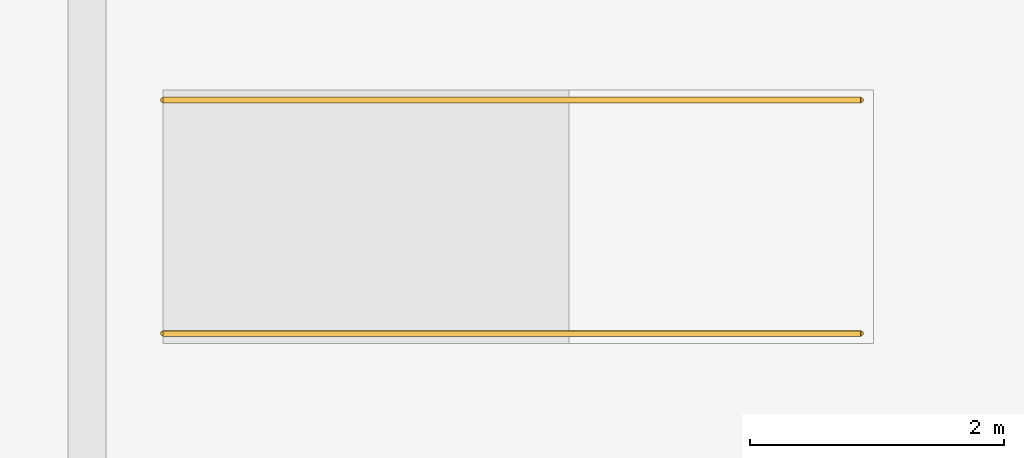
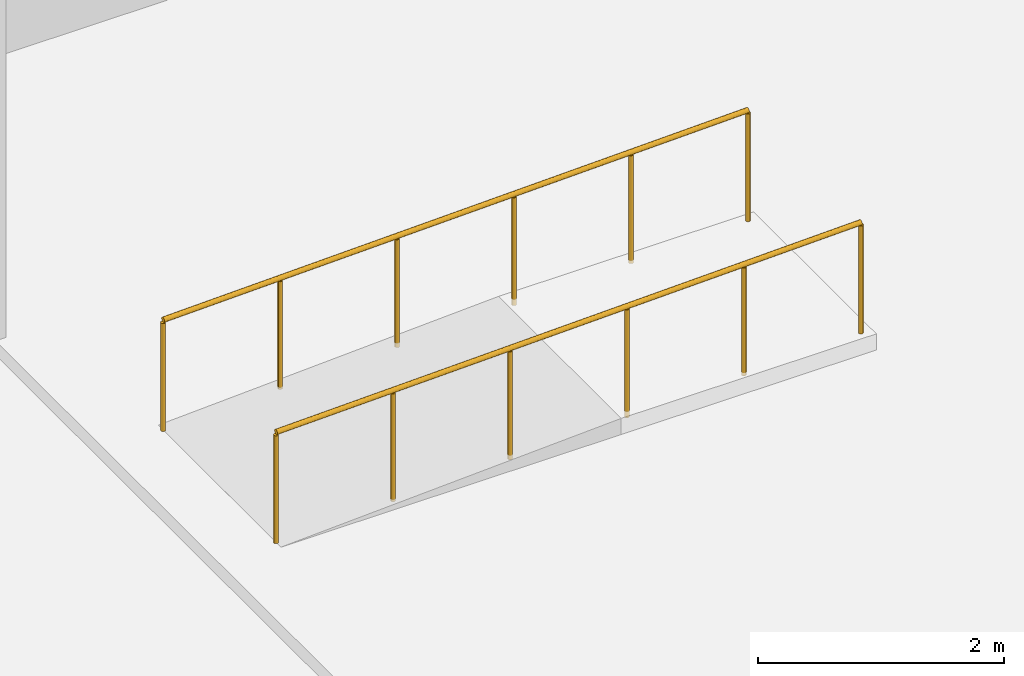
# One storey, part 83 of 84: 2 railings, 1 element without a shape of its own.
"""IFC4 building model written with IfcOpenShell, lengths in metres."""

from ifc_helpers import new_model, si_unit, direction, frame, origin, origin_2d, place, context, subcontext, project, spatial, circle, extrude, material, type_object, element, aggregate, save


model = new_model("IFC4")

# Units and contexts
model_context = context("Model", 3, precision=1e-05, world=origin(), true_north=direction((0.0, 1.0)))
body_context = subcontext(model_context, "Body", "Model", "MODEL_VIEW")
ifc_project = project(units=[si_unit("LENGTHUNIT", "METRE"), si_unit("AREAUNIT", "SQUARE_METRE"), si_unit("VOLUMEUNIT", "CUBIC_METRE"), si_unit("PLANEANGLEUNIT", "RADIAN"), si_unit("MASSUNIT", "GRAM", prefix="KILO")], contexts=[model_context])

# Site, building, storey
site_placement = place(None, origin())
site = spatial("IfcSite", under=ifc_project, at=site_placement, CompositionType="ELEMENT")
building_placement = place(site_placement, origin())
building = spatial("IfcBuilding", under=site, at=building_placement, Name="Sefraquen Railside Congress Hotel", CompositionType="ELEMENT")
storey_placement = place(building_placement, origin())
storey = spatial("IfcBuildingStorey", under=building, at=storey_placement, Name="L00", CompositionType="ELEMENT", Elevation=0.0)

# Ramp, railings
ifc_material_1 = material(Name="Concrete C40/50", Category="concrete")
ramp_type = type_object("IfcRampType", Name="TRP-PED-01", PredefinedType="STRAIGHT_RUN_RAMP", material=ifc_material_1)
ramp_placement = place(storey_placement, origin())
ramp = element("IfcRamp", 1, at=ramp_placement, inside=storey, type_object=ramp_type, Name="Accessible 1:20 interior dais ramp RMP-L00-PED-04", PredefinedType="STRAIGHT_RUN_RAMP")
ifc_material_2 = material(Name="Patinated wrought architectural bronze", Category="metal")
railing_type = type_object("IfcRailingType", Name="TRL-BAL-110", PredefinedType="BALUSTRADE", material=ifc_material_2)
railing_1_placement = place(storey_placement, frame((129.0, 84.080078125, 0.0)))
railing_1 = element("IfcRailing", 2, at=railing_1_placement, type_object=railing_type, Name="Accessible ramp guard RMP-L00-PED-04-HR1", PredefinedType="BALUSTRADE", context=body_context, shape_type="SweptSolid", body=[
    extrude(circle(Radius=0.02392578125, at=origin_2d()), frame((0.0, 0.0, 1.09619140625), z_axis=(0.999577592046, 0.0, 0.029062647496), x_axis=(0.0, 1.0, 0.0)), (0.0, 0.0, 1.0), 5.50244140625),
    extrude(circle(Radius=0.02099609375, at=origin_2d()), origin(), (0.0, 0.0, 1.0), 1.072021484375),
    extrude(circle(Radius=0.02099609375, at=origin_2d()), frame((1.10009765625, 0.0, 0.031982421875)), (0.0, 0.0, 1.0), 1.072021484375),
    extrude(circle(Radius=0.02099609375, at=origin_2d()), frame((2.199951171875, 0.0, 0.06396484375)), (0.0, 0.0, 1.0), 1.072021484375),
    extrude(circle(Radius=0.02099609375, at=origin_2d()), frame((3.300048828125, 0.0, 0.095947265625)), (0.0, 0.0, 1.0), 1.072021484375),
    extrude(circle(Radius=0.02099609375, at=origin_2d()), frame((4.39990234375, 0.0, 0.1279296875)), (0.0, 0.0, 1.0), 1.072021484375),
    extrude(circle(Radius=0.02099609375, at=origin_2d()), frame((5.5, 0.0, 0.159912109375)), (0.0, 0.0, 1.0), 1.072021484375),
])
railing_2_placement = place(storey_placement, frame((129.0, 85.919921875, 0.0)))
railing_2 = element("IfcRailing", 3, at=railing_2_placement, type_object=railing_type, Name="Accessible ramp guard RMP-L00-PED-04-HR2", PredefinedType="BALUSTRADE", context=body_context, shape_type="SweptSolid", body=[
    extrude(circle(Radius=0.02392578125, at=origin_2d()), frame((0.0, 0.0, 1.09619140625), z_axis=(0.999577592046, 0.0, 0.029062647496), x_axis=(0.0, 1.0, 0.0)), (0.0, 0.0, 1.0), 5.50244140625),
    extrude(circle(Radius=0.02099609375, at=origin_2d()), origin(), (0.0, 0.0, 1.0), 1.072021484375),
    extrude(circle(Radius=0.02099609375, at=origin_2d()), frame((1.10009765625, 0.0, 0.031982421875)), (0.0, 0.0, 1.0), 1.072021484375),
    extrude(circle(Radius=0.02099609375, at=origin_2d()), frame((2.199951171875, 0.0, 0.06396484375)), (0.0, 0.0, 1.0), 1.072021484375),
    extrude(circle(Radius=0.02099609375, at=origin_2d()), frame((3.300048828125, 0.0, 0.095947265625)), (0.0, 0.0, 1.0), 1.072021484375),
    extrude(circle(Radius=0.02099609375, at=origin_2d()), frame((4.39990234375, 0.0, 0.1279296875)), (0.0, 0.0, 1.0), 1.072021484375),
    extrude(circle(Radius=0.02099609375, at=origin_2d()), frame((5.5, 0.0, 0.159912109375)), (0.0, 0.0, 1.0), 1.072021484375),
])
aggregate(ramp, [railing_1, railing_2])

save(model, "model.ifc")
